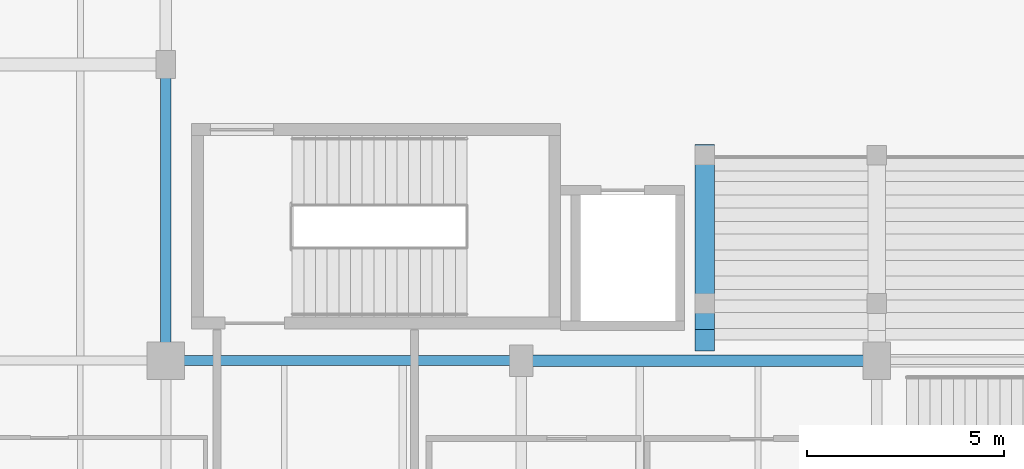
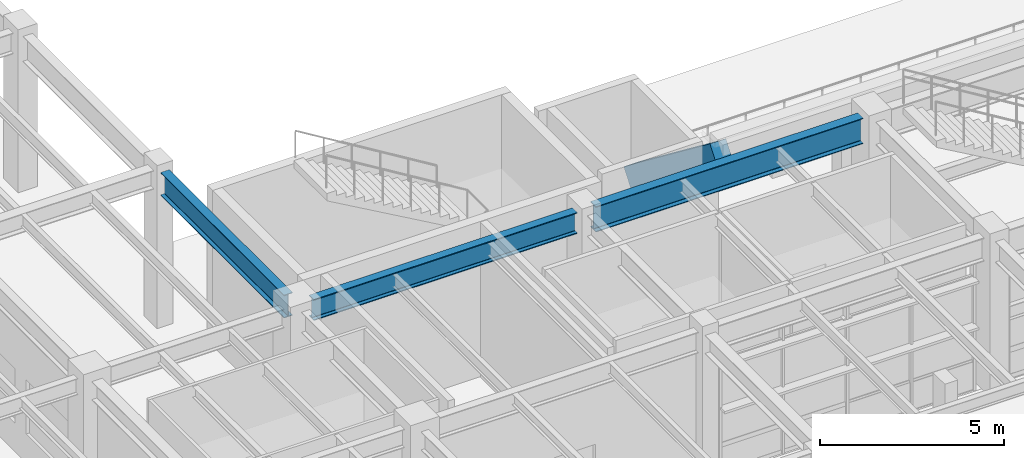
# One storey, part 50 of 203: 4 beams.
"""IFC4 building model written with IfcOpenShell, lengths in metres."""

from ifc_helpers import new_model, si_unit, direction, frame, origin, origin_2d, place, context, subcontext, project, spatial, rectangle, i_section, extrude, material, material_profile, profile_set, type_object, element, save


model = new_model("IFC4")

# Units and contexts
model_context = context("Model", 3, precision=1e-05, world=origin(), true_north=direction((0.0, 1.0)))
body_context = subcontext(model_context, "Body", "Model", "MODEL_VIEW")
ifc_project = project(units=[si_unit("LENGTHUNIT", "METRE"), si_unit("AREAUNIT", "SQUARE_METRE"), si_unit("VOLUMEUNIT", "CUBIC_METRE"), si_unit("PLANEANGLEUNIT", "RADIAN"), si_unit("MASSUNIT", "GRAM", prefix="KILO"), si_unit("THERMODYNAMICTEMPERATUREUNIT", "KELVIN"), si_unit("POWERUNIT", "WATT")], contexts=[model_context])

# Site, building, storey
site_placement = place(None, origin())
site = spatial("IfcSite", under=ifc_project, at=site_placement, CompositionType="ELEMENT")
building_placement = place(site_placement, origin())
building = spatial("IfcBuilding", under=site, at=building_placement, Name="Tepalcoro Natatorium and Aquatics Centre", CompositionType="ELEMENT")
storey_placement = place(building_placement, origin())
storey = spatial("IfcBuildingStorey", under=building, at=storey_placement, Name="L00", CompositionType="ELEMENT", Elevation=0.0)

# Beams
ifc_material_1 = material(Name="Steel ASTM A992 Grade 50 (Fy 345 MPa)", Category="steel")
ifc_material_profile_1 = material_profile(ifc_material_1, i_section(OverallWidth=0.25390625, OverallDepth=0.700927734375, WebThickness=0.014892578125, FlangeThickness=0.028076171875, FilletRadius=0.013916015625, at=origin_2d()), Name="W27X129")
ifc_profile_set_1 = profile_set([ifc_material_profile_1], Name="Steel ASTM A992 Grade 50 (Fy 345 MPa)")
beam_type_1 = type_object("IfcBeamType", Name="BM_W27x129", PredefinedType="BEAM", material=ifc_profile_set_1)
beam_1_placement = place(storey_placement, frame((53.4599609375, 13.0, 4.7744140625), z_axis=(1.0, 0.0, 0.0), x_axis=(0.0, 1.0, 0.0)))
element("IfcBeam", 1, at=beam_1_placement, inside=storey, type_object=beam_type_1, Name="V1 L00 Grid Girder X", PredefinedType="BEAM", context=body_context, shape_type="SweptSolid", body=[
    extrude(i_section(OverallWidth=0.25390625, OverallDepth=0.700927734375, WebThickness=0.014892578125, FlangeThickness=0.028076171875, FilletRadius=0.013916015625, at=origin_2d()), origin(), (0.0, 0.0, 1.0), 8.255126953125),
])
ifc_material_profile_2 = material_profile(ifc_material_1, i_section(OverallWidth=0.26708984375, OverallDepth=0.761962890625, WebThickness=0.013916015625, FlangeThickness=0.02197265625, FilletRadius=0.013916015625, at=origin_2d()), Name="W30X116")
ifc_profile_set_2 = profile_set([ifc_material_profile_2], Name="Steel ASTM A992 Grade 50 (Fy 345 MPa)")
beam_type_2 = type_object("IfcBeamType", Name="BM_W30x116", PredefinedType="BEAM", material=ifc_profile_set_2)
beam_2_placement = place(storey_placement, frame((53.0, 13.4599609375, 4.743896484375), z_axis=(0.0, 1.0, 0.0), x_axis=(-1.0, 0.0, 0.0)))
element("IfcBeam", 2, at=beam_2_placement, inside=storey, type_object=beam_type_2, Name="V1 L00 Grid Girder Y", PredefinedType="BEAM", context=body_context, shape_type="SweptSolid", body=[
    extrude(i_section(OverallWidth=0.26708984375, OverallDepth=0.761962890625, WebThickness=0.013916015625, FlangeThickness=0.02197265625, FilletRadius=0.013916015625, at=origin_2d()), origin(), (0.0, 0.0, 1.0), 6.705078125),
])
ifc_material_profile_3 = material_profile(ifc_material_1, i_section(OverallWidth=0.2919921875, OverallDepth=0.845947265625, WebThickness=0.014892578125, FlangeThickness=0.02392578125, FilletRadius=0.013916015625, at=origin_2d()), Name="W33X141")
ifc_profile_set_3 = profile_set([ifc_material_profile_3], Name="Steel ASTM A992 Grade 50 (Fy 345 MPa)")
beam_type_3 = type_object("IfcBeamType", Name="BM_W33x141", PredefinedType="BEAM", material=ifc_profile_set_3)
beam_3_placement = place(storey_placement, frame((62.284912109375, 13.0, 4.701904296875), z_axis=(1.0, 0.0, 0.0), x_axis=(0.0, 1.0, 0.0)))
element("IfcBeam", 3, at=beam_3_placement, inside=storey, type_object=beam_type_3, Name="V1 L00 Grid Girder X", PredefinedType="BEAM", context=body_context, shape_type="SweptSolid", body=[
    extrude(i_section(OverallWidth=0.2919921875, OverallDepth=0.845947265625, WebThickness=0.014892578125, FlangeThickness=0.02392578125, FilletRadius=0.013916015625, at=origin_2d()), origin(), (0.0, 0.0, 1.0), 8.380126953125),
])
ifc_material_2 = material(Name="Concrete C40/50 (fc 40 MPa)", Category="concrete")
ifc_material_profile_4 = material_profile(ifc_material_2, rectangle(XDim=0.5, YDim=0.89990234375, at=origin_2d()), Name="RKR500x900")
ifc_profile_set_4 = profile_set([ifc_material_profile_4], Name="Concrete C40/50 (fc 40 MPa)")
beam_type_4 = type_object("IfcBeamType", Name="RK_RC_500x900", PredefinedType="USERDEFINED", material=ifc_profile_set_4)
beam_4_placement = place(storey_placement, frame((66.64990234375, 18.199951171875, 1.25), z_axis=(0.0, -0.793431117483, 0.608660054389), x_axis=(1.0, 0.0, 0.0)))
element("IfcBeam", 4, at=beam_4_placement, inside=storey, type_object=beam_type_4, Name="Spectator Bowl Raker Beam S-1", ObjectType="RAKER", PredefinedType="USERDEFINED", context=body_context, shape_type="SweptSolid", body=[
    extrude(rectangle(XDim=0.5, YDim=0.89990234375, at=origin_2d()), origin(), (0.0, 0.0, 1.0), 5.8984375),
])

save(model, "model.ifc")
